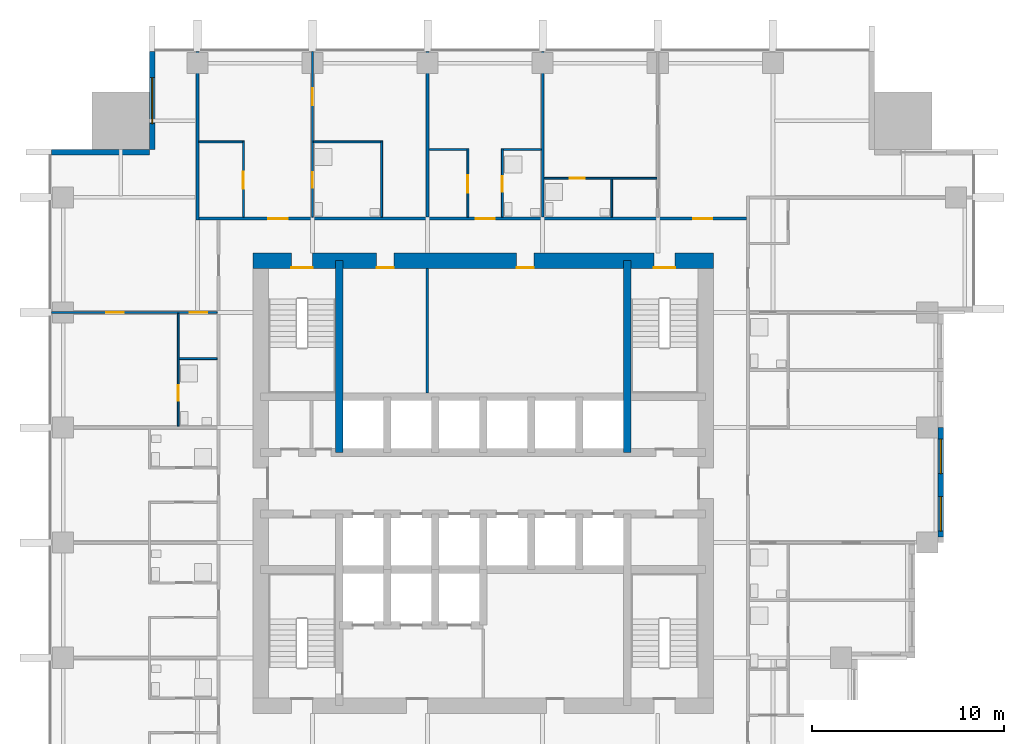
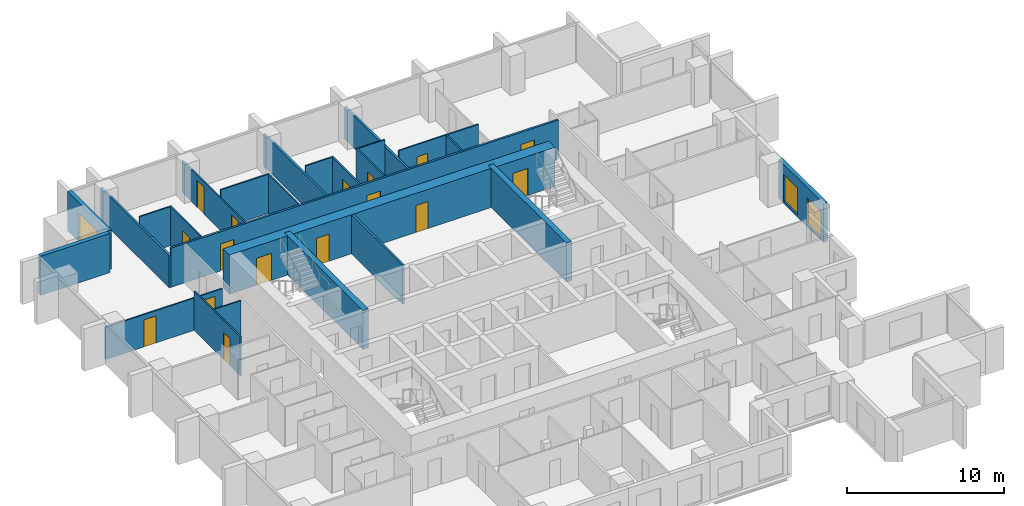
# One storey, part 7 of 10: 25 walls, 16 doors, 3 windows, 19 openings.
"""IFC4 building model written with IfcOpenShell, lengths in metres."""

from ifc_helpers import new_model, si_unit, direction, frame, frame_2d, origin, place, context, subcontext, project, spatial, rectangle, extrude, material, layer, layer_set, type_object, element, fill, save


model = new_model("IFC4")

# Units and contexts
model_context = context("Model", 3, precision=1e-05, world=origin(), true_north=direction((0.0, 1.0)))
body_context = subcontext(model_context, "Body", "Model", "MODEL_VIEW")
ifc_project = project(units=[si_unit("LENGTHUNIT", "METRE"), si_unit("AREAUNIT", "SQUARE_METRE"), si_unit("VOLUMEUNIT", "CUBIC_METRE"), si_unit("PLANEANGLEUNIT", "RADIAN"), si_unit("MASSUNIT", "GRAM", prefix="KILO")], contexts=[model_context])

# Site, building, storey
site_placement = place(None, origin())
site = spatial("IfcSite", under=ifc_project, at=site_placement, CompositionType="ELEMENT")
building_placement = place(site_placement, origin())
building = spatial("IfcBuilding", under=site, at=building_placement, Name="Amberfall Residences", CompositionType="ELEMENT")
storey_placement = place(building_placement, frame((0.0, 0.0, 105.10009765625)))
storey = spatial("IfcBuildingStorey", under=building, at=storey_placement, Name="L28", CompositionType="ELEMENT", Elevation=105.10009765625)

# Wall, opening, window
ifc_material_1 = material(Name="Pale stone cladding on insulated backing", Category="masonry")
ifc_layer_1 = layer(ifc_material_1, 0.300048828125)
ifc_layer_set_1 = layer_set([ifc_layer_1], Name="Bronze clad wall 300")
wall_type_1 = type_object("IfcWallType", Name="Bronze clad wall 300", PredefinedType="SOLIDWALL", material=ifc_layer_set_1)
wall_1_placement = place(storey_placement, frame((57.25, 68.0, 0.0), z_axis=(0.0, 0.0, 1.0), x_axis=(0.0, -1.0, 0.0)))
wall_1 = element("IfcWall", 1, at=wall_1_placement, inside=storey, type_object=wall_type_1, Name="External wall L28 NW", PredefinedType="SOLIDWALL", context=body_context, shape_type="SweptSolid", body=[
    extrude(rectangle(XDim=5.10009765625, YDim=0.300048828125, at=frame_2d((2.550048828125, 0.0))), origin(), (0.0, 0.0, 1.0), 3.0498046875),
])
opening_1_placement = place(wall_1_placement, frame((1.35009765625, 0.0, 0.14990234375)))
opening_1 = element("IfcOpeningElement", 2, at=opening_1_placement, cuts=wall_1, Name="Opening WN5", PredefinedType="OPENING", context=body_context, shape_type="SweptSolid", body=[
    extrude(rectangle(XDim=2.39990234375, YDim=2.10009765625, at=frame_2d((1.199951171875, 1.050048828125))), frame((0.0, 0.159912109375, 0.0), z_axis=(0.0, -1.0, 0.0), x_axis=(1.0, 0.0, 0.0)), (0.0, 0.0, 1.0), 0.320068359375),
])
ifc_material_2 = material(Name="Bronze aluminium framed glazing", Category="aluminium")
window_type_1 = type_object("IfcWindowType", Name="Glazed opening 2400 x 2100 bronze", PartitioningType="DOUBLE_PANEL_VERTICAL", PredefinedType="WINDOW", material=ifc_material_2)
window_1_placement = place(opening_1_placement, origin())
window_1 = element("IfcWindow", 3, at=window_1_placement, inside=storey, type_object=window_type_1, Name="Window L28 NW", OverallHeight=2.10009765625, OverallWidth=2.39990234375, PartitioningType="DOUBLE_PANEL_VERTICAL", PredefinedType="WINDOW", context=body_context, shape_type="SweptSolid", body=[
    extrude(rectangle(XDim=2.39990234375, YDim=2.10009765625, at=frame_2d((1.199951171875, 1.050048828125))), frame((0.0, 0.030029296875, 0.0), z_axis=(0.0, -1.0, 0.0), x_axis=(1.0, 0.0, 0.0)), (0.0, 0.0, 1.0), 0.06005859375),
])
fill(opening_1, window_1)

# Wall
wall_2_placement = place(storey_placement, frame((57.10009765625, 62.75, 0.0), z_axis=(0.0, 0.0, 1.0), x_axis=(-1.0, 0.0, 0.0)))
element("IfcWall", 4, at=wall_2_placement, inside=storey, type_object=wall_type_1, Name="External wall L28 NW", PredefinedType="SOLIDWALL", context=body_context, shape_type="SweptSolid", body=[
    extrude(rectangle(XDim=5.10009765625, YDim=0.300048828125, at=frame_2d((2.550048828125, 0.0))), origin(), (0.0, 0.0, 1.0), 3.0498046875),
])

# Wall, openings, windows
wall_3_placement = place(storey_placement, frame((98.35009765625, 42.699951171875, 0.0), z_axis=(0.0, 0.0, 1.0), x_axis=(0.0, 1.0, 0.0)))
wall_3 = element("IfcWall", 5, at=wall_3_placement, inside=storey, type_object=wall_type_1, Name="Stone wall L28 E", PredefinedType="SOLIDWALL", context=body_context, shape_type="SweptSolid", body=[
    extrude(rectangle(XDim=5.699951171875, YDim=0.300048828125, at=frame_2d((2.85009765625, 0.0))), origin(), (0.0, 0.0, 1.0), 3.0498046875),
])
opening_2_placement = place(wall_3_placement, frame((0.300048828125, 0.0, 0.14990234375)))
opening_2 = element("IfcOpeningElement", 6, at=opening_2_placement, cuts=wall_3, Name="Opening WN6", PredefinedType="OPENING", context=body_context, shape_type="SweptSolid", body=[
    extrude(rectangle(XDim=1.800048828125, YDim=2.10009765625, at=frame_2d((0.89990234375, 1.050048828125))), frame((0.0, 0.159912109375, 0.0), z_axis=(0.0, -1.0, 0.0), x_axis=(1.0, 0.0, 0.0)), (0.0, 0.0, 1.0), 0.320068359375),
])
opening_3_placement = place(wall_3_placement, frame((3.300048828125, 0.0, 0.14990234375)))
opening_3 = element("IfcOpeningElement", 7, at=opening_3_placement, cuts=wall_3, Name="Opening WN6", PredefinedType="OPENING", context=body_context, shape_type="SweptSolid", body=[
    extrude(rectangle(XDim=1.800048828125, YDim=2.10009765625, at=frame_2d((0.89990234375, 1.050048828125))), frame((0.0, 0.159912109375, 0.0), z_axis=(0.0, -1.0, 0.0), x_axis=(1.0, 0.0, 0.0)), (0.0, 0.0, 1.0), 0.320068359375),
])
window_type_2 = type_object("IfcWindowType", Name="Glazed opening 1800 x 2100 bronze", PartitioningType="DOUBLE_PANEL_VERTICAL", PredefinedType="WINDOW", material=ifc_material_2)
window_2_placement = place(opening_2_placement, origin())
window_2 = element("IfcWindow", 8, at=window_2_placement, inside=storey, type_object=window_type_2, Name="Window L28 E", OverallHeight=2.10009765625, OverallWidth=1.800048828125, PartitioningType="DOUBLE_PANEL_VERTICAL", PredefinedType="WINDOW", context=body_context, shape_type="SweptSolid", body=[
    extrude(rectangle(XDim=1.800048828125, YDim=2.10009765625, at=frame_2d((0.89990234375, 1.050048828125))), frame((0.0, 0.030029296875, 0.0), z_axis=(0.0, -1.0, 0.0), x_axis=(1.0, 0.0, 0.0)), (0.0, 0.0, 1.0), 0.06005859375),
])
fill(opening_2, window_2)
window_3_placement = place(opening_3_placement, origin())
window_3 = element("IfcWindow", 9, at=window_3_placement, inside=storey, type_object=window_type_2, Name="Window L28 E", OverallHeight=2.10009765625, OverallWidth=1.800048828125, PartitioningType="DOUBLE_PANEL_VERTICAL", PredefinedType="WINDOW", context=body_context, shape_type="SweptSolid", body=[
    extrude(rectangle(XDim=1.800048828125, YDim=2.10009765625, at=frame_2d((0.89990234375, 1.050048828125))), frame((0.0, 0.030029296875, 0.0), z_axis=(0.0, -1.0, 0.0), x_axis=(1.0, 0.0, 0.0)), (0.0, 0.0, 1.0), 0.06005859375),
])
fill(opening_3, window_3)

# Walls
ifc_material_3 = material(Name="Concrete C70", Category="concrete")
ifc_layer_2 = layer(ifc_material_3, 0.39990234375)
ifc_layer_set_2 = layer_set([ifc_layer_2], Name="Core wall 400 C70")
wall_type_2 = type_object("IfcWallType", Name="Core wall 400 C70", PredefinedType="SHEAR", material=ifc_layer_set_2)
for number, where, z_axis, x_axis, name in (
    (10, (67.0, 47.10009765625, 0.0), (0.0, 0.0, 1.0), (0.0, 1.0, 0.0), "Core wall RW4 L28 V45N"),
    (11, (82.0, 47.10009765625, 0.0), (0.0, 0.0, 1.0), (0.0, 1.0, 0.0), "Core wall RW4 L28 V195N"),
):
    element("IfcWall", number, at=place(storey_placement, frame(where, z_axis=z_axis, x_axis=x_axis)), inside=storey, type_object=wall_type_2, Name=name, PredefinedType="SHEAR", context=body_context, shape_type="SweptSolid", body=[
        extrude(rectangle(XDim=10.0, YDim=0.39990234375, at=frame_2d((5.0, 0.0))), origin(), (0.0, 0.0, 1.0), 3.0498046875),
    ])

# Wall, openings, doors
ifc_layer_3 = layer(ifc_material_3, 0.800048828125)
ifc_layer_set_3 = layer_set([ifc_layer_3], Name="Core wall 800 C70")
wall_type_3 = type_object("IfcWallType", Name="Core wall 800 C70", PredefinedType="SHEAR", material=ifc_layer_set_3)
wall_4_placement = place(storey_placement, frame((62.5, 57.10009765625, 0.0), z_axis=(0.0, 0.0, 1.0), x_axis=(1.0, 0.0, 0.0)))
wall_4 = element("IfcWall", 12, at=wall_4_placement, inside=storey, type_object=wall_type_3, Name="Core wall RW3 L28 ON", PredefinedType="SHEAR", context=body_context, shape_type="SweptSolid", body=[
    extrude(rectangle(XDim=24.0, YDim=0.800048828125, at=frame_2d((12.0, 0.0))), origin(), (0.0, 0.0, 1.0), 3.0498046875),
])
opening_4_placement = place(wall_4_placement, frame((20.89990234375, 0.0, 0.0)))
opening_4 = element("IfcOpeningElement", 13, at=opening_4_placement, cuts=wall_4, Name="Opening SD1", PredefinedType="OPENING", context=body_context, shape_type="SweptSolid", body=[
    extrude(rectangle(XDim=1.10009765625, YDim=2.10009765625, at=frame_2d((0.550048828125, 1.050048828125))), frame((0.0, 0.409912109375, 0.0), z_axis=(0.0, -1.0, 0.0), x_axis=(1.0, 0.0, 0.0)), (0.0, 0.0, 1.0), 0.820068359375),
])
opening_5_placement = place(wall_4_placement, frame((2.0, 0.0, 0.0)))
opening_5 = element("IfcOpeningElement", 14, at=opening_5_placement, cuts=wall_4, Name="Opening SD1", PredefinedType="OPENING", context=body_context, shape_type="SweptSolid", body=[
    extrude(rectangle(XDim=1.10009765625, YDim=2.10009765625, at=frame_2d((0.550048828125, 1.050048828125))), frame((0.0, 0.409912109375, 0.0), z_axis=(0.0, -1.0, 0.0), x_axis=(1.0, 0.0, 0.0)), (0.0, 0.0, 1.0), 0.820068359375),
])
opening_6_placement = place(wall_4_placement, frame((6.43994140625, 0.0, 0.0)))
opening_6 = element("IfcOpeningElement", 15, at=opening_6_placement, cuts=wall_4, Name="Opening RD1", PredefinedType="OPENING", context=body_context, shape_type="SweptSolid", body=[
    extrude(rectangle(XDim=0.89990234375, YDim=2.10009765625, at=frame_2d((0.449951171875, 1.050048828125))), frame((0.0, 0.409912109375, 0.0), z_axis=(0.0, -1.0, 0.0), x_axis=(1.0, 0.0, 0.0)), (0.0, 0.0, 1.0), 0.820068359375),
])
opening_7_placement = place(wall_4_placement, frame((13.739990234375, 0.0, 0.0)))
opening_7 = element("IfcOpeningElement", 16, at=opening_7_placement, cuts=wall_4, Name="Opening RD1", PredefinedType="OPENING", context=body_context, shape_type="SweptSolid", body=[
    extrude(rectangle(XDim=0.89990234375, YDim=2.10009765625, at=frame_2d((0.449951171875, 1.050048828125))), frame((0.0, 0.409912109375, 0.0), z_axis=(0.0, -1.0, 0.0), x_axis=(1.0, 0.0, 0.0)), (0.0, 0.0, 1.0), 0.820068359375),
])
ifc_material_4 = material(Name="Steel fire door set", Category="steel")
door_type_1 = type_object("IfcDoorType", Name="Service room door 900 x 2100", OperationType="SINGLE_SWING_LEFT", PredefinedType="DOOR", material=ifc_material_4)
door_1_placement = place(opening_6_placement, origin())
door_1 = element("IfcDoor", 17, at=door_1_placement, inside=storey, type_object=door_type_1, Name="RD1 L28", OperationType="SINGLE_SWING_RIGHT", OverallHeight=2.10009765625, OverallWidth=0.89990234375, PredefinedType="DOOR", context=body_context, shape_type="SweptSolid", body=[
    extrude(rectangle(XDim=0.89990234375, YDim=2.10009765625, at=frame_2d((0.449951171875, 1.050048828125))), frame((0.0, -0.33740234375, 0.0), z_axis=(0.0, -1.0, 0.0), x_axis=(1.0, 0.0, 0.0)), (0.0, 0.0, 1.0), 0.050048828125),
])
fill(opening_6, door_1)
door_2_placement = place(opening_7_placement, origin())
door_2 = element("IfcDoor", 18, at=door_2_placement, inside=storey, type_object=door_type_1, Name="RD1 L28", OperationType="SINGLE_SWING_RIGHT", OverallHeight=2.10009765625, OverallWidth=0.89990234375, PredefinedType="DOOR", context=body_context, shape_type="SweptSolid", body=[
    extrude(rectangle(XDim=0.89990234375, YDim=2.10009765625, at=frame_2d((0.449951171875, 1.050048828125))), frame((0.0, -0.33740234375, 0.0), z_axis=(0.0, -1.0, 0.0), x_axis=(1.0, 0.0, 0.0)), (0.0, 0.0, 1.0), 0.050048828125),
])
fill(opening_7, door_2)
door_type_2 = type_object("IfcDoorType", Name="Stair door 1100 x 2100", OperationType="SINGLE_SWING_LEFT", PredefinedType="DOOR", material=ifc_material_4)
door_3_placement = place(opening_4_placement, origin())
door_3 = element("IfcDoor", 19, at=door_3_placement, inside=storey, type_object=door_type_2, Name="SD1 L28", OperationType="SINGLE_SWING_RIGHT", OverallHeight=2.10009765625, OverallWidth=1.10009765625, PredefinedType="DOOR", context=body_context, shape_type="SweptSolid", body=[
    extrude(rectangle(XDim=1.10009765625, YDim=2.10009765625, at=frame_2d((0.550048828125, 1.050048828125))), frame((0.0, -0.33740234375, 0.0), z_axis=(0.0, -1.0, 0.0), x_axis=(1.0, 0.0, 0.0)), (0.0, 0.0, 1.0), 0.050048828125),
])
fill(opening_4, door_3)
door_4_placement = place(opening_5_placement, origin())
door_4 = element("IfcDoor", 20, at=door_4_placement, inside=storey, type_object=door_type_2, Name="SD1 L28", OperationType="SINGLE_SWING_LEFT", OverallHeight=2.10009765625, OverallWidth=1.10009765625, PredefinedType="DOOR", context=body_context, shape_type="SweptSolid", body=[
    extrude(rectangle(XDim=1.10009765625, YDim=2.10009765625, at=frame_2d((0.550048828125, 1.050048828125))), frame((0.0, -0.33740234375, 0.0), z_axis=(0.0, -1.0, 0.0), x_axis=(1.0, 0.0, 0.0)), (0.0, 0.0, 1.0), 0.050048828125),
])
fill(opening_5, door_4)

# Wall, opening, door
ifc_material_5 = material(Name="Gypsum board on metal stud")
ifc_layer_4 = layer(ifc_material_5, 0.10009765625)
ifc_layer_set_4 = layer_set([ifc_layer_4], Name="Flat partition 100")
wall_type_4 = type_object("IfcWallType", Name="Flat partition 100", PredefinedType="PARTITIONING", material=ifc_layer_set_4)
wall_5_placement = place(storey_placement, frame((58.60009765625, 54.35009765625, 0.0), z_axis=(0.0, 0.0, 1.0), x_axis=(0.0, -1.0, 0.0)))
wall_5 = element("IfcWall", 21, at=wall_5_placement, inside=storey, type_object=wall_type_4, Name="Partition 005", PredefinedType="PARTITIONING", context=body_context, shape_type="SweptSolid", body=[
    extrude(rectangle(XDim=5.875, YDim=0.10009765625, at=frame_2d((2.9375, 0.0))), origin(), (0.0, 0.0, 1.0), 3.0498046875),
])
opening_8_placement = place(wall_5_placement, frame((3.75, 0.0, 0.0)))
opening_8 = element("IfcOpeningElement", 22, at=opening_8_placement, cuts=wall_5, Name="Opening D42", PredefinedType="OPENING", context=body_context, shape_type="SweptSolid", body=[
    extrude(rectangle(XDim=0.800048828125, YDim=2.10009765625, at=frame_2d((0.39990234375, 1.050048828125))), frame((0.0, 0.06005859375, 0.0), z_axis=(0.0, -1.0, 0.0), x_axis=(1.0, 0.0, 0.0)), (0.0, 0.0, 1.0), 0.1201171875),
])
ifc_material_6 = material(Name="Timber", Category="wood")
door_type_3 = type_object("IfcDoorType", Name="Bathroom door 800 x 2100", OperationType="SINGLE_SWING_LEFT", PredefinedType="DOOR", material=ifc_material_6)
door_5_placement = place(opening_8_placement, origin())
door_5 = element("IfcDoor", 23, at=door_5_placement, inside=storey, type_object=door_type_3, Name="Door 2813 bath1", OperationType="SINGLE_SWING_LEFT", OverallHeight=2.10009765625, OverallWidth=0.800048828125, PredefinedType="DOOR", context=body_context, shape_type="SweptSolid", body=[
    extrude(rectangle(XDim=0.800048828125, YDim=2.10009765625, at=frame_2d((0.39990234375, 1.050048828125))), frame((0.0, 0.02490234375, 0.0), z_axis=(0.0, -1.0, 0.0), x_axis=(1.0, 0.0, 0.0)), (0.0, 0.0, 1.0), 0.050048828125),
])
fill(opening_8, door_5)

wall_6_placement = place(storey_placement, frame((62.0, 59.375, 0.0), z_axis=(0.0, 0.0, 1.0), x_axis=(0.0, 1.0, 0.0)))
wall_6 = element("IfcWall", 24, at=wall_6_placement, inside=storey, type_object=wall_type_4, Name="Partition 006", PredefinedType="PARTITIONING", context=body_context, shape_type="SweptSolid", body=[
    extrude(rectangle(XDim=3.97509765625, YDim=0.10009765625, at=frame_2d((1.987548828125, 0.0))), origin(), (0.0, 0.0, 1.0), 3.0498046875),
])
opening_9_placement = place(wall_6_placement, frame((1.47509765625, 0.0, 0.0)))
opening_9 = element("IfcOpeningElement", 25, at=opening_9_placement, cuts=wall_6, Name="Opening D41", PredefinedType="OPENING", context=body_context, shape_type="SweptSolid", body=[
    extrude(rectangle(XDim=0.89990234375, YDim=2.10009765625, at=frame_2d((0.449951171875, 1.050048828125))), frame((0.0, 0.06005859375, 0.0), z_axis=(0.0, -1.0, 0.0), x_axis=(1.0, 0.0, 0.0)), (0.0, 0.0, 1.0), 0.1201171875),
])
door_type_4 = type_object("IfcDoorType", Name="Internal door 900 x 2100", OperationType="SINGLE_SWING_LEFT", PredefinedType="DOOR", material=ifc_material_6)
door_6_placement = place(opening_9_placement, origin())
door_6 = element("IfcDoor", 26, at=door_6_placement, inside=storey, type_object=door_type_4, Name="Door 2807 kitchen", OperationType="SINGLE_SWING_LEFT", OverallHeight=2.10009765625, OverallWidth=0.89990234375, PredefinedType="DOOR", context=body_context, shape_type="SweptSolid", body=[
    extrude(rectangle(XDim=0.89990234375, YDim=2.10009765625, at=frame_2d((0.449951171875, 1.050048828125))), frame((0.0, 0.02490234375, 0.0), z_axis=(0.0, -1.0, 0.0), x_axis=(1.0, 0.0, 0.0)), (0.0, 0.0, 1.0), 0.050048828125),
])
fill(opening_9, door_6)

# Wall, openings, doors
wall_7_placement = place(storey_placement, frame((65.60009765625, 68.0, 0.0), z_axis=(0.0, 0.0, 1.0), x_axis=(0.0, -1.0, 0.0)))
wall_7 = element("IfcWall", 27, at=wall_7_placement, inside=storey, type_object=wall_type_4, Name="Partition 008", PredefinedType="PARTITIONING", context=body_context, shape_type="SweptSolid", body=[
    extrude(rectangle(XDim=8.625, YDim=0.10009765625, at=frame_2d((4.3125, 0.0))), origin(), (0.0, 0.0, 1.0), 2.515869140625),
])
opening_10_placement = place(wall_7_placement, frame((1.89990234375, 0.0, 0.0)))
opening_10 = element("IfcOpeningElement", 28, at=opening_10_placement, cuts=wall_7, Name="Opening D41", PredefinedType="OPENING", context=body_context, shape_type="SweptSolid", body=[
    extrude(rectangle(XDim=0.89990234375, YDim=2.10009765625, at=frame_2d((0.449951171875, 1.050048828125))), frame((0.0, 0.06005859375, 0.0), z_axis=(0.0, -1.0, 0.0), x_axis=(1.0, 0.0, 0.0)), (0.0, 0.0, 1.0), 0.1201171875),
])
opening_11_placement = place(wall_7_placement, frame((6.300048828125, 0.0, 0.0)))
opening_11 = element("IfcOpeningElement", 29, at=opening_11_placement, cuts=wall_7, Name="Opening D42", PredefinedType="OPENING", context=body_context, shape_type="SweptSolid", body=[
    extrude(rectangle(XDim=0.800048828125, YDim=2.10009765625, at=frame_2d((0.39990234375, 1.050048828125))), frame((0.0, 0.06005859375, 0.0), z_axis=(0.0, -1.0, 0.0), x_axis=(1.0, 0.0, 0.0)), (0.0, 0.0, 1.0), 0.1201171875),
])
door_7_placement = place(opening_11_placement, origin())
door_7 = element("IfcDoor", 30, at=door_7_placement, inside=storey, type_object=door_type_3, Name="Door 2807 bath1", OperationType="SINGLE_SWING_LEFT", OverallHeight=2.10009765625, OverallWidth=0.800048828125, PredefinedType="DOOR", context=body_context, shape_type="SweptSolid", body=[
    extrude(rectangle(XDim=0.800048828125, YDim=2.10009765625, at=frame_2d((0.39990234375, 1.050048828125))), frame((0.0, 0.02490234375, 0.0), z_axis=(0.0, -1.0, 0.0), x_axis=(1.0, 0.0, 0.0)), (0.0, 0.0, 1.0), 0.050048828125),
])
fill(opening_11, door_7)
door_8_placement = place(opening_10_placement, origin())
door_8 = element("IfcDoor", 31, at=door_8_placement, inside=storey, type_object=door_type_4, Name="Door 2807 bedroom1", OperationType="SINGLE_SWING_LEFT", OverallHeight=2.10009765625, OverallWidth=0.89990234375, PredefinedType="DOOR", context=body_context, shape_type="SweptSolid", body=[
    extrude(rectangle(XDim=0.89990234375, YDim=2.10009765625, at=frame_2d((0.449951171875, 1.050048828125))), frame((0.0, 0.02490234375, 0.0), z_axis=(0.0, -1.0, 0.0), x_axis=(1.0, 0.0, 0.0)), (0.0, 0.0, 1.0), 0.050048828125),
])
fill(opening_10, door_8)

# Wall
wall_8_placement = place(storey_placement, frame((69.199951171875, 59.375, 0.0), z_axis=(0.0, 0.0, 1.0), x_axis=(0.0, 1.0, 0.0)))
element("IfcWall", 32, at=wall_8_placement, inside=storey, type_object=wall_type_4, Name="Partition 010", PredefinedType="PARTITIONING", context=body_context, shape_type="SweptSolid", body=[
    extrude(rectangle(XDim=3.97509765625, YDim=0.10009765625, at=frame_2d((1.987548828125, 0.0))), origin(), (0.0, 0.0, 1.0), 3.0498046875),
])

# Wall, opening, door
wall_9_placement = place(storey_placement, frame((73.699951171875, 59.375, 0.0), z_axis=(0.0, 0.0, 1.0), x_axis=(0.0, 1.0, 0.0)))
wall_9 = element("IfcWall", 33, at=wall_9_placement, inside=storey, type_object=wall_type_4, Name="Partition 011", PredefinedType="PARTITIONING", context=body_context, shape_type="SweptSolid", body=[
    extrude(rectangle(XDim=3.574951171875, YDim=0.10009765625, at=frame_2d((1.78759765625, 0.0))), origin(), (0.0, 0.0, 1.0), 3.0498046875),
])
opening_12_placement = place(wall_9_placement, frame((1.27490234375, 0.0, 0.0)))
opening_12 = element("IfcOpeningElement", 34, at=opening_12_placement, cuts=wall_9, Name="Opening D41", PredefinedType="OPENING", context=body_context, shape_type="SweptSolid", body=[
    extrude(rectangle(XDim=0.89990234375, YDim=2.10009765625, at=frame_2d((0.449951171875, 1.050048828125))), frame((0.0, 0.06005859375, 0.0), z_axis=(0.0, -1.0, 0.0), x_axis=(1.0, 0.0, 0.0)), (0.0, 0.0, 1.0), 0.1201171875),
])
door_9_placement = place(opening_12_placement, origin())
door_9 = element("IfcDoor", 35, at=door_9_placement, inside=storey, type_object=door_type_4, Name="Door 2808 kitchen", OperationType="SINGLE_SWING_LEFT", OverallHeight=2.10009765625, OverallWidth=0.89990234375, PredefinedType="DOOR", context=body_context, shape_type="SweptSolid", body=[
    extrude(rectangle(XDim=0.89990234375, YDim=2.10009765625, at=frame_2d((0.449951171875, 1.050048828125))), frame((0.0, 0.02490234375, 0.0), z_axis=(0.0, -1.0, 0.0), x_axis=(1.0, 0.0, 0.0)), (0.0, 0.0, 1.0), 0.050048828125),
])
fill(opening_12, door_9)

wall_10_placement = place(storey_placement, frame((75.5, 62.949951171875, 0.0), z_axis=(0.0, 0.0, 1.0), x_axis=(0.0, -1.0, 0.0)))
wall_10 = element("IfcWall", 36, at=wall_10_placement, inside=storey, type_object=wall_type_4, Name="Partition 013", PredefinedType="PARTITIONING", context=body_context, shape_type="SweptSolid", body=[
    extrude(rectangle(XDim=3.574951171875, YDim=0.10009765625, at=frame_2d((1.78759765625, 0.0))), origin(), (0.0, 0.0, 1.0), 3.0498046875),
])
opening_13_placement = place(wall_10_placement, frame((1.449951171875, 0.0, 0.0)))
opening_13 = element("IfcOpeningElement", 37, at=opening_13_placement, cuts=wall_10, Name="Opening D42", PredefinedType="OPENING", context=body_context, shape_type="SweptSolid", body=[
    extrude(rectangle(XDim=0.800048828125, YDim=2.10009765625, at=frame_2d((0.39990234375, 1.050048828125))), frame((0.0, 0.06005859375, 0.0), z_axis=(0.0, -1.0, 0.0), x_axis=(1.0, 0.0, 0.0)), (0.0, 0.0, 1.0), 0.1201171875),
])
door_10_placement = place(opening_13_placement, origin())
door_10 = element("IfcDoor", 38, at=door_10_placement, inside=storey, type_object=door_type_3, Name="Door 2808 bath1", OperationType="SINGLE_SWING_LEFT", OverallHeight=2.10009765625, OverallWidth=0.800048828125, PredefinedType="DOOR", context=body_context, shape_type="SweptSolid", body=[
    extrude(rectangle(XDim=0.800048828125, YDim=2.10009765625, at=frame_2d((0.39990234375, 1.050048828125))), frame((0.0, 0.02490234375, 0.0), z_axis=(0.0, -1.0, 0.0), x_axis=(1.0, 0.0, 0.0)), (0.0, 0.0, 1.0), 0.050048828125),
])
fill(opening_13, door_10)

# Walls
wall_11_placement = place(storey_placement, frame((81.199951171875, 59.375, 0.0), z_axis=(0.0, 0.0, 1.0), x_axis=(0.0, 1.0, 0.0)))
element("IfcWall", 39, at=wall_11_placement, inside=storey, type_object=wall_type_4, Name="Partition 015", PredefinedType="PARTITIONING", context=body_context, shape_type="SweptSolid", body=[
    extrude(rectangle(XDim=1.97509765625, YDim=0.10009765625, at=frame_2d((0.987548828125, 0.0))), origin(), (0.0, 0.0, 1.0), 3.0498046875),
])
wall_12_placement = place(storey_placement, frame((59.675048828125, 63.300048828125, 0.0), z_axis=(0.0, 0.0, 1.0), x_axis=(1.0, 0.0, 0.0)))
element("IfcWall", 40, at=wall_12_placement, inside=storey, type_object=wall_type_4, Name="Partition 022", PredefinedType="PARTITIONING", context=body_context, shape_type="SweptSolid", body=[
    extrude(rectangle(XDim=2.27490234375, YDim=0.10009765625, at=frame_2d((1.137451171875, 0.0))), origin(), (0.0, 0.0, 1.0), 3.0498046875),
])
wall_13_placement = place(storey_placement, frame((65.64990234375, 63.300048828125, 0.0), z_axis=(0.0, 0.0, 1.0), x_axis=(1.0, 0.0, 0.0)))
element("IfcWall", 41, at=wall_13_placement, inside=storey, type_object=wall_type_4, Name="Partition 023", PredefinedType="PARTITIONING", context=body_context, shape_type="SweptSolid", body=[
    extrude(rectangle(XDim=3.5, YDim=0.10009765625, at=frame_2d((1.75, 0.0))), origin(), (0.0, 0.0, 1.0), 3.0498046875),
])
for number, where, z_axis, x_axis, name in (
    (42, (71.675048828125, 62.89990234375, 0.0), (0.0, 0.0, 1.0), (1.0, 0.0, 0.0), "Partition 024"),
    (43, (75.550048828125, 62.89990234375, 0.0), (0.0, 0.0, 1.0), (1.0, 0.0, 0.0), "Partition 025"),
):
    element("IfcWall", number, at=place(storey_placement, frame(where, z_axis=z_axis, x_axis=x_axis)), inside=storey, type_object=wall_type_4, Name=name, PredefinedType="PARTITIONING", context=body_context, shape_type="SweptSolid", body=[
        extrude(rectangle(XDim=1.974853515625, YDim=0.10009765625, at=frame_2d((0.9873046875, 0.0))), origin(), (0.0, 0.0, 1.0), 3.0498046875),
    ])

# Wall, opening, door
wall_14_placement = place(storey_placement, frame((83.550048828125, 61.39990234375, 0.0), z_axis=(0.0, 0.0, 1.0), x_axis=(-1.0, 0.0, 0.0)))
wall_14 = element("IfcWall", 44, at=wall_14_placement, inside=storey, type_object=wall_type_4, Name="Partition 026", PredefinedType="PARTITIONING", context=body_context, shape_type="SweptSolid", body=[
    extrude(rectangle(XDim=5.875, YDim=0.10009765625, at=frame_2d((2.9375, 0.0))), origin(), (0.0, 0.0, 1.0), 3.0498046875),
])
opening_14_placement = place(wall_14_placement, frame((3.75, 0.0, 0.0)))
opening_14 = element("IfcOpeningElement", 45, at=opening_14_placement, cuts=wall_14, Name="Opening D42", PredefinedType="OPENING", context=body_context, shape_type="SweptSolid", body=[
    extrude(rectangle(XDim=0.800048828125, YDim=2.10009765625, at=frame_2d((0.39990234375, 1.050048828125))), frame((0.0, 0.06005859375, 0.0), z_axis=(0.0, -1.0, 0.0), x_axis=(1.0, 0.0, 0.0)), (0.0, 0.0, 1.0), 0.1201171875),
])
door_11_placement = place(opening_14_placement, origin())
door_11 = element("IfcDoor", 46, at=door_11_placement, inside=storey, type_object=door_type_3, Name="Door 2809 bath1", OperationType="SINGLE_SWING_LEFT", OverallHeight=2.10009765625, OverallWidth=0.800048828125, PredefinedType="DOOR", context=body_context, shape_type="SweptSolid", body=[
    extrude(rectangle(XDim=0.800048828125, YDim=2.10009765625, at=frame_2d((0.39990234375, 1.050048828125))), frame((0.0, 0.02490234375, 0.0), z_axis=(0.0, -1.0, 0.0), x_axis=(1.0, 0.0, 0.0)), (0.0, 0.0, 1.0), 0.050048828125),
])
fill(opening_14, door_11)

# Wall, openings, doors
wall_15_placement = place(storey_placement, frame((60.625, 54.39990234375, 0.0), z_axis=(0.0, 0.0, 1.0), x_axis=(-1.0, 0.0, 0.0)))
wall_15 = element("IfcWall", 47, at=wall_15_placement, inside=storey, type_object=wall_type_4, Name="Partition 028", PredefinedType="PARTITIONING", context=body_context, shape_type="SweptSolid", body=[
    extrude(rectangle(XDim=8.625, YDim=0.10009765625, at=frame_2d((4.3125, 0.0))), origin(), (0.0, 0.0, 1.0), 2.515869140625),
])
opening_15_placement = place(wall_15_placement, frame((0.52490234375, 0.0, 0.0)))
opening_15 = element("IfcOpeningElement", 48, at=opening_15_placement, cuts=wall_15, Name="Opening D41", PredefinedType="OPENING", context=body_context, shape_type="SweptSolid", body=[
    extrude(rectangle(XDim=0.89990234375, YDim=2.10009765625, at=frame_2d((0.449951171875, 1.050048828125))), frame((0.0, 0.06005859375, 0.0), z_axis=(0.0, -1.0, 0.0), x_axis=(1.0, 0.0, 0.0)), (0.0, 0.0, 1.0), 0.1201171875),
])
opening_16_placement = place(wall_15_placement, frame((4.875, 0.0, 0.0)))
opening_16 = element("IfcOpeningElement", 49, at=opening_16_placement, cuts=wall_15, Name="Opening D41", PredefinedType="OPENING", context=body_context, shape_type="SweptSolid", body=[
    extrude(rectangle(XDim=0.89990234375, YDim=2.10009765625, at=frame_2d((0.449951171875, 1.050048828125))), frame((0.0, 0.06005859375, 0.0), z_axis=(0.0, -1.0, 0.0), x_axis=(1.0, 0.0, 0.0)), (0.0, 0.0, 1.0), 0.1201171875),
])
door_12_placement = place(opening_15_placement, origin())
door_12 = element("IfcDoor", 50, at=door_12_placement, inside=storey, type_object=door_type_4, Name="Door 2813 kitchen", OperationType="SINGLE_SWING_LEFT", OverallHeight=2.10009765625, OverallWidth=0.89990234375, PredefinedType="DOOR", context=body_context, shape_type="SweptSolid", body=[
    extrude(rectangle(XDim=0.89990234375, YDim=2.10009765625, at=frame_2d((0.449951171875, 1.050048828125))), frame((0.0, 0.02490234375, 0.0), z_axis=(0.0, -1.0, 0.0), x_axis=(1.0, 0.0, 0.0)), (0.0, 0.0, 1.0), 0.050048828125),
])
fill(opening_15, door_12)
door_13_placement = place(opening_16_placement, origin())
door_13 = element("IfcDoor", 51, at=door_13_placement, inside=storey, type_object=door_type_4, Name="Door 2813 bedroom1", OperationType="SINGLE_SWING_LEFT", OverallHeight=2.10009765625, OverallWidth=0.89990234375, PredefinedType="DOOR", context=body_context, shape_type="SweptSolid", body=[
    extrude(rectangle(XDim=0.89990234375, YDim=2.10009765625, at=frame_2d((0.449951171875, 1.050048828125))), frame((0.0, 0.02490234375, 0.0), z_axis=(0.0, -1.0, 0.0), x_axis=(1.0, 0.0, 0.0)), (0.0, 0.0, 1.0), 0.050048828125),
])
fill(opening_16, door_13)

# Walls
wall_16_placement = place(storey_placement, frame((58.64990234375, 52.0, 0.0), z_axis=(0.0, 0.0, 1.0), x_axis=(1.0, 0.0, 0.0)))
element("IfcWall", 52, at=wall_16_placement, inside=storey, type_object=wall_type_4, Name="Partition 030", PredefinedType="PARTITIONING", context=body_context, shape_type="SweptSolid", body=[
    extrude(rectangle(XDim=1.97509765625, YDim=0.10009765625, at=frame_2d((0.987548828125, 0.0))), origin(), (0.0, 0.0, 1.0), 3.0498046875),
])
ifc_material_7 = material(Name="Blockwork, plastered", Category="masonry")
ifc_layer_5 = layer(ifc_material_7, 0.14990234375)
ifc_layer_set_5 = layer_set([ifc_layer_5], Name="Flat separating wall 150")
wall_type_5 = type_object("IfcWallType", Name="Flat separating wall 150", PredefinedType="PARTITIONING", material=ifc_layer_set_5)
wall_17_placement = place(storey_placement, frame((59.60009765625, 59.22509765625, 0.0), z_axis=(0.0, 0.0, 1.0), x_axis=(0.0, 1.0, 0.0)))
element("IfcWall", 53, at=wall_17_placement, inside=storey, type_object=wall_type_5, Name="Separating wall 046", PredefinedType="PARTITIONING", context=body_context, shape_type="SweptSolid", body=[
    extrude(rectangle(XDim=8.77490234375, YDim=0.14990234375, at=frame_2d((4.387451171875, 0.0))), origin(), (0.0, 0.0, 1.0), 2.510009765625),
])
for number, where, z_axis, x_axis, name in (
    (54, (71.60009765625, 59.375, 0.0), (0.0, 0.0, 1.0), (0.0, 1.0, 0.0), "Separating wall 049"),
    (55, (77.60009765625, 59.375, 0.0), (0.0, 0.0, 1.0), (0.0, 1.0, 0.0), "Separating wall 050"),
):
    element("IfcWall", number, at=place(storey_placement, frame(where, z_axis=z_axis, x_axis=x_axis)), inside=storey, type_object=wall_type_5, Name=name, PredefinedType="PARTITIONING", context=body_context, shape_type="SweptSolid", body=[
        extrude(rectangle(XDim=8.625, YDim=0.14990234375, at=frame_2d((4.3125, 0.0))), origin(), (0.0, 0.0, 1.0), 2.515869140625),
    ])

# Wall, openings, doors
wall_18_placement = place(storey_placement, frame((59.675048828125, 59.300048828125, 0.0), z_axis=(0.0, 0.0, 1.0), x_axis=(1.0, 0.0, 0.0)))
wall_18 = element("IfcWall", 56, at=wall_18_placement, inside=storey, type_object=wall_type_5, Name="Separating wall 055", PredefinedType="PARTITIONING", context=body_context, shape_type="SweptSolid", body=[
    extrude(rectangle(XDim=28.550048828125, YDim=0.14990234375, at=frame_2d((14.27490234375, 0.0))), origin(), (0.0, 0.0, 1.0), 3.0498046875),
])
opening_17_placement = place(wall_18_placement, frame((3.625, 0.0, 0.0)))
opening_17 = element("IfcOpeningElement", 57, at=opening_17_placement, cuts=wall_18, Name="Opening D40", PredefinedType="OPENING", context=body_context, shape_type="SweptSolid", body=[
    extrude(rectangle(XDim=1.0, YDim=2.10009765625, at=frame_2d((0.5, 1.050048828125))), frame((0.0, 0.0849609375, 0.0), z_axis=(0.0, -1.0, 0.0), x_axis=(1.0, 0.0, 0.0)), (0.0, 0.0, 1.0), 0.169921875),
])
opening_18_placement = place(wall_18_placement, frame((14.425048828125, 0.0, 0.0)))
opening_18 = element("IfcOpeningElement", 58, at=opening_18_placement, cuts=wall_18, Name="Opening D40", PredefinedType="OPENING", context=body_context, shape_type="SweptSolid", body=[
    extrude(rectangle(XDim=1.0, YDim=2.10009765625, at=frame_2d((0.5, 1.050048828125))), frame((0.0, 0.0849609375, 0.0), z_axis=(0.0, -1.0, 0.0), x_axis=(1.0, 0.0, 0.0)), (0.0, 0.0, 1.0), 0.169921875),
])
opening_19_placement = place(wall_18_placement, frame((25.77490234375, 0.0, 0.0)))
opening_19 = element("IfcOpeningElement", 59, at=opening_19_placement, cuts=wall_18, Name="Opening D40", PredefinedType="OPENING", context=body_context, shape_type="SweptSolid", body=[
    extrude(rectangle(XDim=1.0, YDim=2.10009765625, at=frame_2d((0.5, 1.050048828125))), frame((0.0, 0.0849609375, 0.0), z_axis=(0.0, -1.0, 0.0), x_axis=(1.0, 0.0, 0.0)), (0.0, 0.0, 1.0), 0.169921875),
])
ifc_material_8 = material(Name="Timber, fire-rated", Category="wood")
door_type_5 = type_object("IfcDoorType", Name="Flat entrance door FD60 1000 x 2100", OperationType="SINGLE_SWING_LEFT", PredefinedType="DOOR", material=ifc_material_8)
door_14_placement = place(opening_17_placement, origin())
door_14 = element("IfcDoor", 60, at=door_14_placement, inside=storey, type_object=door_type_5, Name="Door 2807 entrance", OperationType="SINGLE_SWING_LEFT", OverallHeight=2.10009765625, OverallWidth=1.0, PredefinedType="DOOR", context=body_context, shape_type="SweptSolid", body=[
    extrude(rectangle(XDim=1.0, YDim=2.10009765625, at=frame_2d((0.5, 1.050048828125))), frame((0.0, 0.02490234375, 0.0), z_axis=(0.0, -1.0, 0.0), x_axis=(1.0, 0.0, 0.0)), (0.0, 0.0, 1.0), 0.050048828125),
])
fill(opening_17, door_14)
door_15_placement = place(opening_18_placement, origin())
door_15 = element("IfcDoor", 61, at=door_15_placement, inside=storey, type_object=door_type_5, Name="Door 2808 entrance", OperationType="SINGLE_SWING_LEFT", OverallHeight=2.10009765625, OverallWidth=1.0, PredefinedType="DOOR", context=body_context, shape_type="SweptSolid", body=[
    extrude(rectangle(XDim=1.0, YDim=2.10009765625, at=frame_2d((0.5, 1.050048828125))), frame((0.0, 0.02490234375, 0.0), z_axis=(0.0, -1.0, 0.0), x_axis=(1.0, 0.0, 0.0)), (0.0, 0.0, 1.0), 0.050048828125),
])
fill(opening_18, door_15)
door_16_placement = place(opening_19_placement, origin())
door_16 = element("IfcDoor", 62, at=door_16_placement, inside=storey, type_object=door_type_5, Name="Door 2809 entrance", OperationType="SINGLE_SWING_LEFT", OverallHeight=2.10009765625, OverallWidth=1.0, PredefinedType="DOOR", context=body_context, shape_type="SweptSolid", body=[
    extrude(rectangle(XDim=1.0, YDim=2.10009765625, at=frame_2d((0.5, 1.050048828125))), frame((0.0, 0.02490234375, 0.0), z_axis=(0.0, -1.0, 0.0), x_axis=(1.0, 0.0, 0.0)), (0.0, 0.0, 1.0), 0.050048828125),
])
fill(opening_19, door_16)

# Wall
ifc_material_9 = material(Name="Concrete blockwork", Category="masonry")
ifc_layer_6 = layer(ifc_material_9, 0.14990234375)
ifc_layer_set_6 = layer_set([ifc_layer_6], Name="Riser wall 150")
wall_type_6 = type_object("IfcWallType", Name="Riser wall 150", PredefinedType="PLUMBINGWALL", material=ifc_layer_set_6)
wall_19_placement = place(storey_placement, frame((71.580078125, 50.199951171875, 0.0), z_axis=(0.0, 0.0, 1.0), x_axis=(0.0, 1.0, 0.0)))
element("IfcWall", 63, at=wall_19_placement, inside=storey, type_object=wall_type_6, Name="L28 core wall N0", PredefinedType="PLUMBINGWALL", context=body_context, shape_type="SweptSolid", body=[
    extrude(rectangle(XDim=6.5, YDim=0.14990234375, at=frame_2d((3.25, 0.0))), origin(), (0.0, 0.0, 1.0), 3.0498046875),
])

save(model, "model.ifc")
